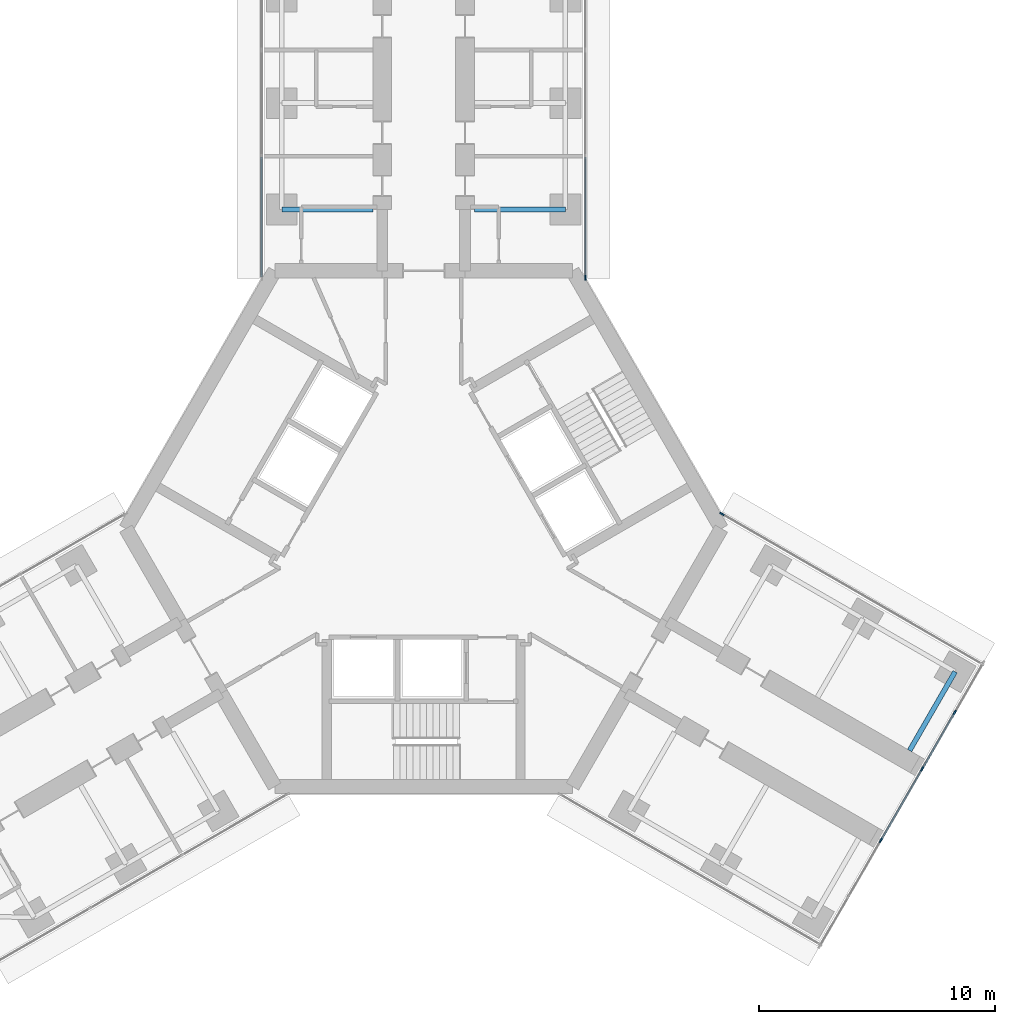
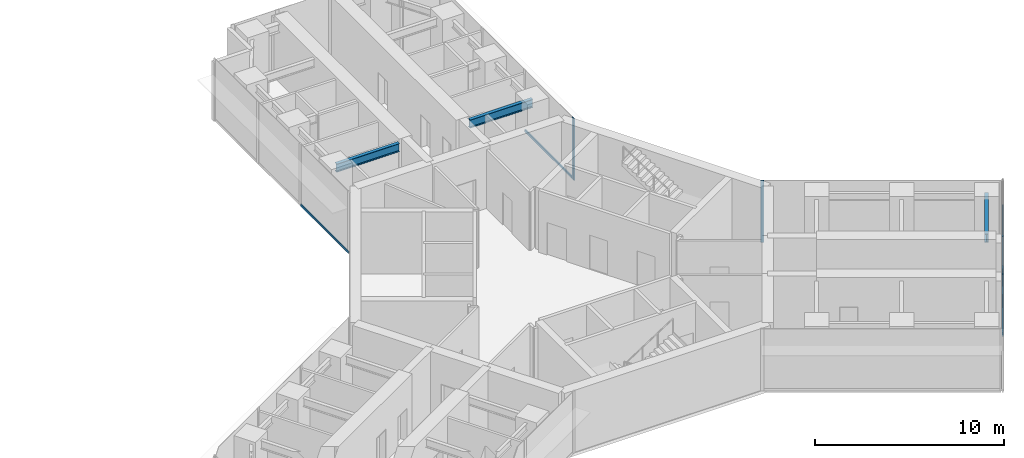
# One storey, part 10 of 22: 9 members, 3 beams, 4 elements without a shape of their own.
"""IFC4 building model written with IfcOpenShell, lengths in metres."""

from ifc_helpers import new_model, si_unit, direction, frame, origin, origin_2d, place, context, subcontext, project, spatial, rectangle, i_section, extrude, material, material_profile, profile_set, type_object, element, aggregate, save


model = new_model("IFC4")

# Units and contexts
model_context = context("Model", 3, precision=1e-05, world=origin(), true_north=direction((0.0, 1.0)))
body_context = subcontext(model_context, "Body", "Model", "MODEL_VIEW")
ifc_project = project(units=[si_unit("LENGTHUNIT", "METRE"), si_unit("AREAUNIT", "SQUARE_METRE"), si_unit("VOLUMEUNIT", "CUBIC_METRE"), si_unit("PLANEANGLEUNIT", "RADIAN"), si_unit("MASSUNIT", "GRAM", prefix="KILO")], contexts=[model_context])

# Site, building, storey
site_placement = place(None, origin())
site = spatial("IfcSite", under=ifc_project, at=site_placement, CompositionType="ELEMENT")
building_placement = place(site_placement, origin())
building = spatial("IfcBuilding", under=site, at=building_placement, Name="Upepo Twin Towers", CompositionType="ELEMENT")
storey_placement = place(building_placement, frame((0.0, 0.0, 129.5)))
storey = spatial("IfcBuildingStorey", under=building, at=storey_placement, Name="L31", CompositionType="ELEMENT", Elevation=129.5)

# Beams
ifc_material_1 = material(Name="Steel S355", Category="steel")
ifc_material_profile_1 = material_profile(ifc_material_1, i_section(OverallWidth=0.209228515625, OverallDepth=0.533203125, WebThickness=0.010009765625, FlangeThickness=0.015625, FilletRadius=0.0126953125, at=origin_2d()), Name="UB 533x210x92")
ifc_profile_set_1 = profile_set([ifc_material_profile_1], Name="Steel S355")
beam_type = type_object("IfcBeamType", Name="Beam UB 533x210x92", PredefinedType="BEAM", material=ifc_profile_set_1)
for number, where, z_axis, x_axis, name in (
    (1, (52.5, -4.5, 3.533447265625), (1.0, 0.0, 0.0), (0.0, 1.0, 0.0), "T2 girder AL at 13.5"),
    (2, (64.5, -4.5, 3.533447265625), (-1.0, 0.0, 0.0), (0.0, -1.0, 0.0), "T2 girder AR at 13.5"),
):
    element("IfcBeam", number, at=place(storey_placement, frame(where, z_axis=z_axis, x_axis=x_axis)), inside=storey, type_object=beam_type, Name=name, PredefinedType="BEAM", context=body_context, shape_type="SweptSolid", body=[
        extrude(i_section(OverallWidth=0.209228515625, OverallDepth=0.533203125, WebThickness=0.010009765625, FlangeThickness=0.015625, FilletRadius=0.0126953125, at=origin_2d()), origin(), (0.0, 0.0, 1.0), 3.85009765625),
    ])
beam_placement = place(storey_placement, frame((80.985595703125, -24.053955078125, 3.533447265625), z_axis=(-0.500033517596, -0.866006051527, 0.0), x_axis=(0.866006051527, -0.500033517596, 0.0)))
element("IfcBeam", 3, at=beam_placement, inside=storey, type_object=beam_type, Name="T2 girder CL at 22.5", PredefinedType="BEAM", context=body_context, shape_type="SweptSolid", body=[
    extrude(i_section(OverallWidth=0.209228515625, OverallDepth=0.533203125, WebThickness=0.010009765625, FlangeThickness=0.015625, FilletRadius=0.0126953125, at=origin_2d()), origin(), (0.0, 0.0, 1.0), 3.849853515625),
])

# Curtain wall, member
ifc_material_2 = material(Name="Aluminium and fritted glass", Category="aluminium")
curtain_wall_type = type_object("IfcCurtainWallType", Name="Tower curtain wall TW2, fritted glass", PredefinedType="NOTDEFINED", material=ifc_material_2)
curtain_wall_1_placement = place(storey_placement, origin())
curtain_wall_1 = element("IfcCurtainWall", 4, at=curtain_wall_1_placement, inside=storey, type_object=curtain_wall_type, Name="T2 L31 wing A flank R curtain wall", PredefinedType="NOTDEFINED")
ifc_material_3 = material(Name="Aluminium mullion", Category="aluminium")
ifc_material_profile_2 = material_profile(ifc_material_3, rectangle(XDim=0.06494140625, YDim=0.199951171875, at=origin_2d()), Name="MULLION 65x200")
ifc_profile_set_2 = profile_set([ifc_material_profile_2], Name="Aluminium mullion")
member_type_1 = type_object("IfcMemberType", Name="Mullion 65x200 TW2", PredefinedType="MULLION", material=ifc_profile_set_2)
member_1_placement = place(storey_placement, frame((65.35009765625, -7.38037109375, 0.0), z_axis=(0.0, 0.0, 1.0), x_axis=(1.0, 0.0, 0.0)))
member_1 = element("IfcMember", 5, at=member_1_placement, type_object=member_type_1, Name="T2 L31 wing A flank R curtain wall mullion 4", PredefinedType="MULLION", context=body_context, shape_type="SweptSolid", body=[
    extrude(rectangle(XDim=0.06494140625, YDim=0.199951171875, at=origin_2d()), origin(), (0.0, 0.0, 1.0), 4.0),
])

curtain_wall_2_placement = place(storey_placement, origin())
curtain_wall_2 = element("IfcCurtainWall", 6, at=curtain_wall_2_placement, inside=storey, type_object=curtain_wall_type, Name="T2 L31 wing C flank L curtain wall", PredefinedType="NOTDEFINED")
member_2_placement = place(storey_placement, frame((71.121826171875, -17.37744140625, 0.0), z_axis=(0.0, 0.0, 1.0), x_axis=(0.50000000792, 0.866025399212, 0.0)))
member_2 = element("IfcMember", 7, at=member_2_placement, type_object=member_type_1, Name="T2 L31 wing C flank L curtain wall mullion 1", PredefinedType="MULLION", context=body_context, shape_type="SweptSolid", body=[
    extrude(rectangle(XDim=0.06494140625, YDim=0.199951171875, at=origin_2d()), origin(), (0.0, 0.0, 1.0), 4.0),
])
aggregate(curtain_wall_2, [member_2])

# Curtain wall, members
curtain_wall_3_placement = place(storey_placement, origin())
curtain_wall_3 = element("IfcCurtainWall", 8, at=curtain_wall_3_placement, inside=storey, type_object=curtain_wall_type, Name="T2 L31 wing C nose curtain wall", PredefinedType="NOTDEFINED")
member_3_placement = place(storey_placement, frame((77.8466796875, -31.1904296875, 0.0), z_axis=(0.0, 0.0, 1.0), x_axis=(-0.866025419745, 0.499999972355, 0.0)))
member_3 = element("IfcMember", 9, at=member_3_placement, type_object=member_type_1, Name="T2 L31 wing C nose curtain wall mullion 3", PredefinedType="MULLION", context=body_context, shape_type="SweptSolid", body=[
    extrude(rectangle(XDim=0.06494140625, YDim=0.199951171875, at=origin_2d()), origin(), (0.0, 0.0, 1.0), 4.0),
])
member_4_placement = place(storey_placement, frame((79.5966796875, -28.159423828125, 0.0), z_axis=(0.0, 0.0, 1.0), x_axis=(-0.866025419745, 0.499999972355, 0.0)))
member_4 = element("IfcMember", 10, at=member_4_placement, type_object=member_type_1, Name="T2 L31 wing C nose curtain wall mullion 4", PredefinedType="MULLION", context=body_context, shape_type="SweptSolid", body=[
    extrude(rectangle(XDim=0.06494140625, YDim=0.199951171875, at=origin_2d()), origin(), (0.0, 0.0, 1.0), 4.0),
])
member_5_placement = place(storey_placement, frame((80.9716796875, -25.77783203125, 0.0), z_axis=(0.0, 0.0, 1.0), x_axis=(-0.866025419745, 0.499999972355, 0.0)))
member_5 = element("IfcMember", 11, at=member_5_placement, type_object=member_type_1, Name="T2 L31 wing C nose curtain wall mullion 5", PredefinedType="MULLION", context=body_context, shape_type="SweptSolid", body=[
    extrude(rectangle(XDim=0.06494140625, YDim=0.199951171875, at=origin_2d()), origin(), (0.0, 0.0, 1.0), 4.0),
])

# Curtain wall, member
curtain_wall_4_placement = place(storey_placement, origin())
curtain_wall_4 = element("IfcCurtainWall", 12, at=curtain_wall_4_placement, inside=storey, type_object=curtain_wall_type, Name="T2 L31 wing A flank L curtain wall", PredefinedType="NOTDEFINED")
ifc_material_4 = material(Name="Aluminium transom", Category="aluminium")
ifc_material_profile_3 = material_profile(ifc_material_4, rectangle(XDim=0.06494140625, YDim=0.14990234375, at=origin_2d()), Name="TRANSOM 65x150")
ifc_profile_set_3 = profile_set([ifc_material_profile_3], Name="Aluminium transom")
member_type_2 = type_object("IfcMemberType", Name="Transom 65x150 TW2", PredefinedType="USERDEFINED", material=ifc_profile_set_3)
member_6_placement = place(storey_placement, frame((51.64990234375, -7.347900390625, 0.074951171875), z_axis=(0.0, 1.0, 0.0), x_axis=(-1.0, 0.0, 0.0)))
member_6 = element("IfcMember", 13, at=member_6_placement, type_object=member_type_2, Name="T2 L31 wing A flank L curtain wall transom 1", ObjectType="TRANSOM", PredefinedType="USERDEFINED", context=body_context, shape_type="SweptSolid", body=[
    extrude(rectangle(XDim=0.06494140625, YDim=0.14990234375, at=origin_2d()), origin(), (0.0, 0.0, 1.0), 5.0654296875),
])
aggregate(curtain_wall_4, [member_6])

# Member
member_7_placement = place(storey_placement, frame((65.35009765625, -2.282470703125, 0.074951171875), z_axis=(0.0, -1.0, 0.0), x_axis=(1.0, 0.0, 0.0)))
member_7 = element("IfcMember", 14, at=member_7_placement, type_object=member_type_2, Name="T2 L31 wing A flank R curtain wall transom 3", ObjectType="TRANSOM", PredefinedType="USERDEFINED", context=body_context, shape_type="SweptSolid", body=[
    extrude(rectangle(XDim=0.06494140625, YDim=0.14990234375, at=origin_2d()), origin(), (0.0, 0.0, 1.0), 5.0654296875),
])

aggregate(curtain_wall_1, [member_1, member_7])

member_8_placement = place(storey_placement, frame((77.863037109375, -31.162353515625, 0.074951171875), z_axis=(0.499945997713, 0.866056579774, 0.0), x_axis=(-0.866056579774, 0.499945997713, 0.0)))
member_8 = element("IfcMember", 15, at=member_8_placement, type_object=member_type_2, Name="T2 L31 wing C nose curtain wall transom 3", ObjectType="TRANSOM", PredefinedType="USERDEFINED", context=body_context, shape_type="SweptSolid", body=[
    extrude(rectangle(XDim=0.06494140625, YDim=0.14990234375, at=origin_2d()), origin(), (0.0, 0.0, 1.0), 3.43505859375),
])

member_9_placement = place(storey_placement, frame((79.613037109375, -28.13134765625, 0.074951171875), z_axis=(0.49995335277, 0.8660523339, 0.0), x_axis=(-0.8660523339, 0.49995335277, 0.0)))
member_9 = element("IfcMember", 16, at=member_9_placement, type_object=member_type_2, Name="T2 L31 wing C nose curtain wall transom 4", ObjectType="TRANSOM", PredefinedType="USERDEFINED", context=body_context, shape_type="SweptSolid", body=[
    extrude(rectangle(XDim=0.06494140625, YDim=0.14990234375, at=origin_2d()), origin(), (0.0, 0.0, 1.0), 2.684814453125),
])

aggregate(curtain_wall_3, [member_3, member_4, member_5, member_8, member_9])

save(model, "model.ifc")
